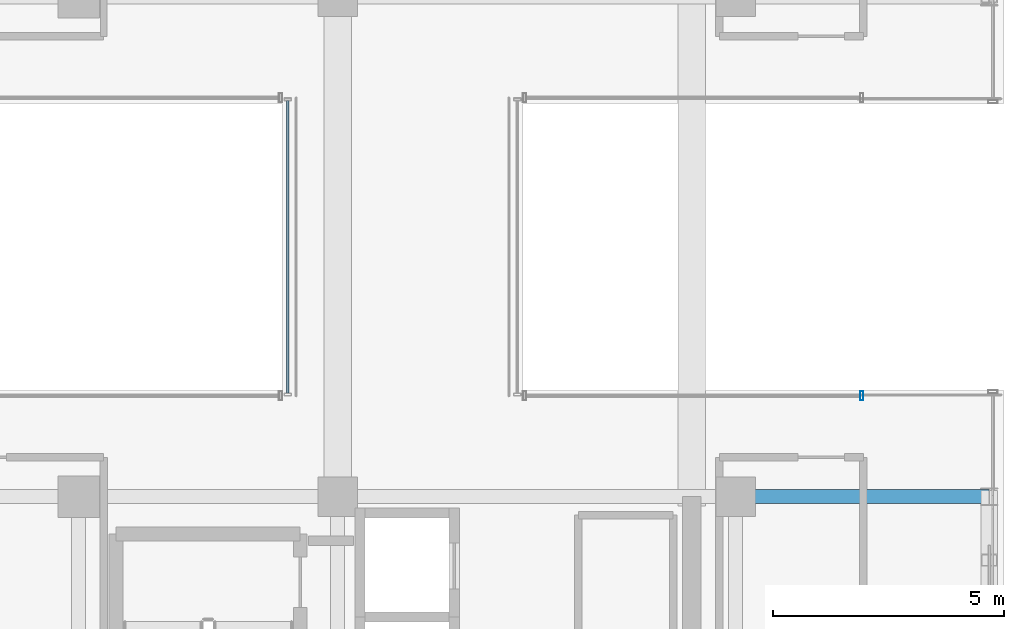
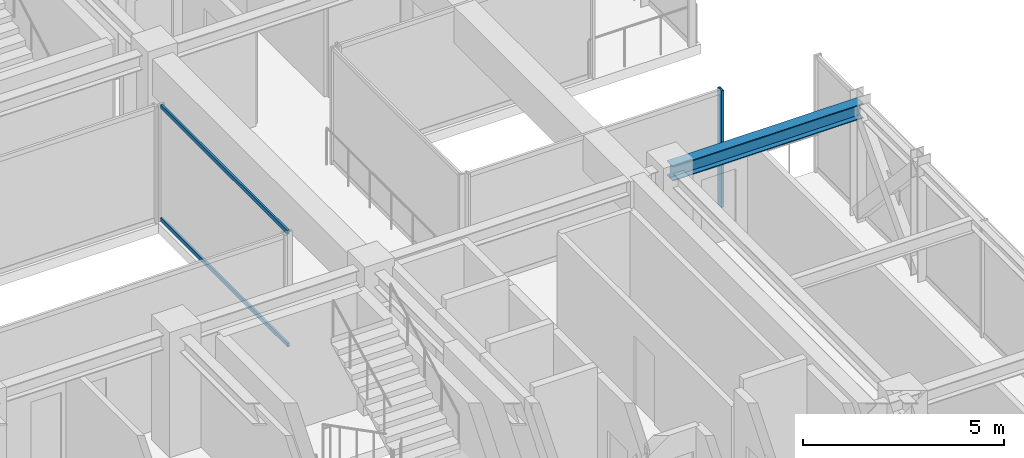
# One storey, part 18 of 37: 3 members, 1 beam, 2 elements without a shape of their own.
"""IFC4 building model written with IfcOpenShell, lengths in metres."""

from ifc_helpers import new_model, si_unit, direction, frame, origin, origin_2d, place, context, subcontext, project, spatial, hollow_rectangle, i_section, extrude, source, transform, mapped, material, material_profile, profile_set, type_object, element, aggregate, save


model = new_model("IFC4")

# Units and contexts
model_context = context("Model", 3, precision=1e-05, world=origin(), true_north=direction((0.0, 1.0)))
body_context = subcontext(model_context, "Body", "Model", "MODEL_VIEW")
ifc_project = project(units=[si_unit("LENGTHUNIT", "METRE"), si_unit("AREAUNIT", "SQUARE_METRE"), si_unit("VOLUMEUNIT", "CUBIC_METRE"), si_unit("PLANEANGLEUNIT", "RADIAN"), si_unit("MASSUNIT", "GRAM", prefix="KILO")], contexts=[model_context])

# Site, building, storey
site_placement = place(None, origin())
site = spatial("IfcSite", under=ifc_project, at=site_placement, CompositionType="ELEMENT")
building_placement = place(site_placement, origin())
building = spatial("IfcBuilding", under=site, at=building_placement, Name="Nahalor Promenade Grand Hotel", CompositionType="ELEMENT")
storey_placement = place(building_placement, frame((0.0, 0.0, 308.050048828125)))
storey = spatial("IfcBuildingStorey", under=building, at=storey_placement, Name="L79", CompositionType="ELEMENT", Elevation=308.050048828125)

# Beam
ifc_material_1 = material(Name="Steel S355JR", Category="steel")
ifc_material_profile_1 = material_profile(ifc_material_1, i_section(OverallWidth=0.3, OverallDepth=0.45, WebThickness=0.014, FlangeThickness=0.026, at=origin_2d()), Name="HEB 450")
ifc_profile_set_1 = profile_set([ifc_material_profile_1], Name="Steel S355JR")
beam_type = type_object("IfcBeamType", Name="Beam-Girder-HEB450", PredefinedType="BEAM", material=ifc_profile_set_1)
shared_shape_1 = source(origin(), body_context, "Body", "SweptSolid", [
    extrude(i_section(OverallWidth=0.3, OverallDepth=0.45, WebThickness=0.014, FlangeThickness=0.026, at=origin_2d()), origin(), (0.0, 0.0, 1.0), 5.47998046875),
])
beam_placement = place(storey_placement, frame((17.0, -5.39990234375, 3.324951171875), z_axis=(1.0, 0.0, 0.0), x_axis=(0.0, 1.0, 0.0)))
element("IfcBeam", 1, at=beam_placement, inside=storey, type_object=beam_type, Name="BM-L79-GX-1-6", PredefinedType="BEAM", context=body_context, shape_type="MappedRepresentation", body=[
    mapped(shared_shape_1, transform((0.0, 0.0, 0.0), scale=1.0)),
])

# Curtain wall, members
ifc_material_2 = material(Name="Anodised Bronze Aluminium EN AW-6063 T6", Category="aluminium")
curtain_wall_type_1 = type_object("IfcCurtainWallType", Name="CW4 Low-Iron Sky-Gallery Bridge Curtain Wall", PredefinedType="USERDEFINED", material=ifc_material_2)
curtain_wall_1_placement = place(storey_placement, origin())
curtain_wall_1 = element("IfcCurtainWall", 2, at=curtain_wall_1_placement, inside=storey, type_object=curtain_wall_type_1, Name="L79 Curtain Wall CW-L79-BRG-W", ObjectType="UNITISED_CURTAIN_WALL", PredefinedType="USERDEFINED")
ifc_material_profile_2 = material_profile(ifc_material_2, hollow_rectangle(XDim=0.06, YDim=0.12, WallThickness=0.004, at=origin_2d()), Name="CWT 60x120x4")
ifc_profile_set_2 = profile_set([ifc_material_profile_2], Name="Anodised Bronze Aluminium EN AW-6063 T6")
member_type_1 = type_object("IfcMemberType", Name="CWT4 Sky-Gallery Slim Transom 60x120", PredefinedType="USERDEFINED", material=ifc_profile_set_2)
shared_shape_2 = source(origin(), body_context, "Body", "SweptSolid", [
    extrude(hollow_rectangle(XDim=0.06, YDim=0.12, WallThickness=0.004, at=origin_2d()), origin(), (0.0, 0.0, 1.0), 6.31982421875),
])
member_1_placement = place(storey_placement, frame((7.320068359375, -3.159912109375, 0.06005859375), z_axis=(0.0, 1.0, 0.0), x_axis=(-1.0, 0.0, 0.0)))
member_1 = element("IfcMember", 3, at=member_1_placement, type_object=member_type_1, Name="CW-L79-BRG-W Transom 0-0", ObjectType="TRANSOM", PredefinedType="USERDEFINED", context=body_context, shape_type="MappedRepresentation", body=[
    mapped(shared_shape_2, transform((0.0, 0.0, 0.0), scale=1.0)),
])
member_2_placement = place(storey_placement, frame((7.320068359375, -3.159912109375, 3.489990234375), z_axis=(0.0, 1.0, 0.0), x_axis=(-1.0, 0.0, 0.0)))
member_2 = element("IfcMember", 4, at=member_2_placement, type_object=member_type_1, Name="CW-L79-BRG-W Transom 0-1", ObjectType="TRANSOM", PredefinedType="USERDEFINED", context=body_context, shape_type="MappedRepresentation", body=[
    mapped(shared_shape_2, transform((0.0, 0.0, 0.0), scale=1.0)),
])
aggregate(curtain_wall_1, [member_1, member_2])

# Curtain wall, member
curtain_wall_type_2 = type_object("IfcCurtainWallType", Name="CW3 Elliptical-Void Collar Unitised Curtain Wall", PredefinedType="USERDEFINED", material=ifc_material_2)
curtain_wall_2_placement = place(storey_placement, origin())
curtain_wall_2 = element("IfcCurtainWall", 5, at=curtain_wall_2_placement, inside=storey, type_object=curtain_wall_type_2, Name="L79 Curtain Wall CW-L79-VOID-ES1", ObjectType="UNITISED_CURTAIN_WALL", PredefinedType="USERDEFINED")
ifc_material_profile_3 = material_profile(ifc_material_2, hollow_rectangle(XDim=0.07, YDim=0.2, WallThickness=0.005, at=origin_2d()), Name="CWM 70x200x5")
ifc_profile_set_3 = profile_set([ifc_material_profile_3], Name="Anodised Bronze Aluminium EN AW-6063 T6")
member_type_2 = type_object("IfcMemberType", Name="CWM3 Void Collar Mullion 70x200", PredefinedType="MULLION", material=ifc_profile_set_3)
shared_shape_3 = source(origin(), body_context, "Body", "SweptSolid", [
    extrude(hollow_rectangle(XDim=0.07, YDim=0.2, WallThickness=0.005, at=origin_2d()), origin(), (0.0, 0.0, 1.0), 3.550048828125),
])
member_3_placement = place(storey_placement, frame((19.72509765625, -3.219970703125, 0.0), z_axis=(0.0, 0.0, 1.0), x_axis=(1.0, 0.0, 0.0)))
member_3 = element("IfcMember", 6, at=member_3_placement, type_object=member_type_2, Name="CW-L79-VOID-ES1 Mullion 1", PredefinedType="MULLION", context=body_context, shape_type="MappedRepresentation", body=[
    mapped(shared_shape_3, transform((0.0, 0.0, 0.0), scale=1.0)),
])
aggregate(curtain_wall_2, [member_3])

save(model, "model.ifc")
